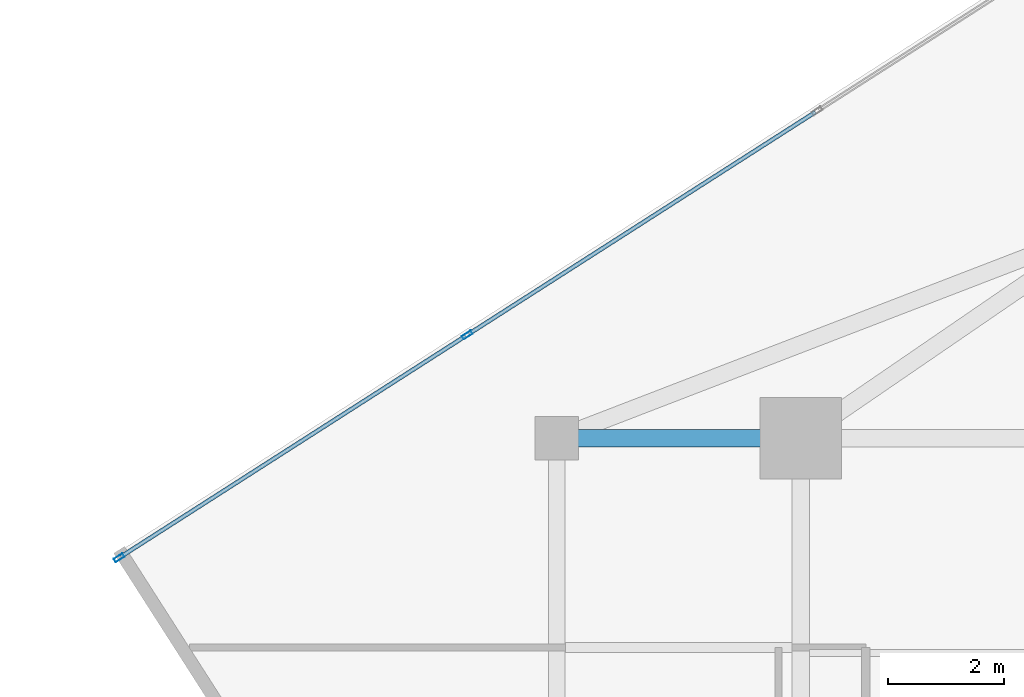
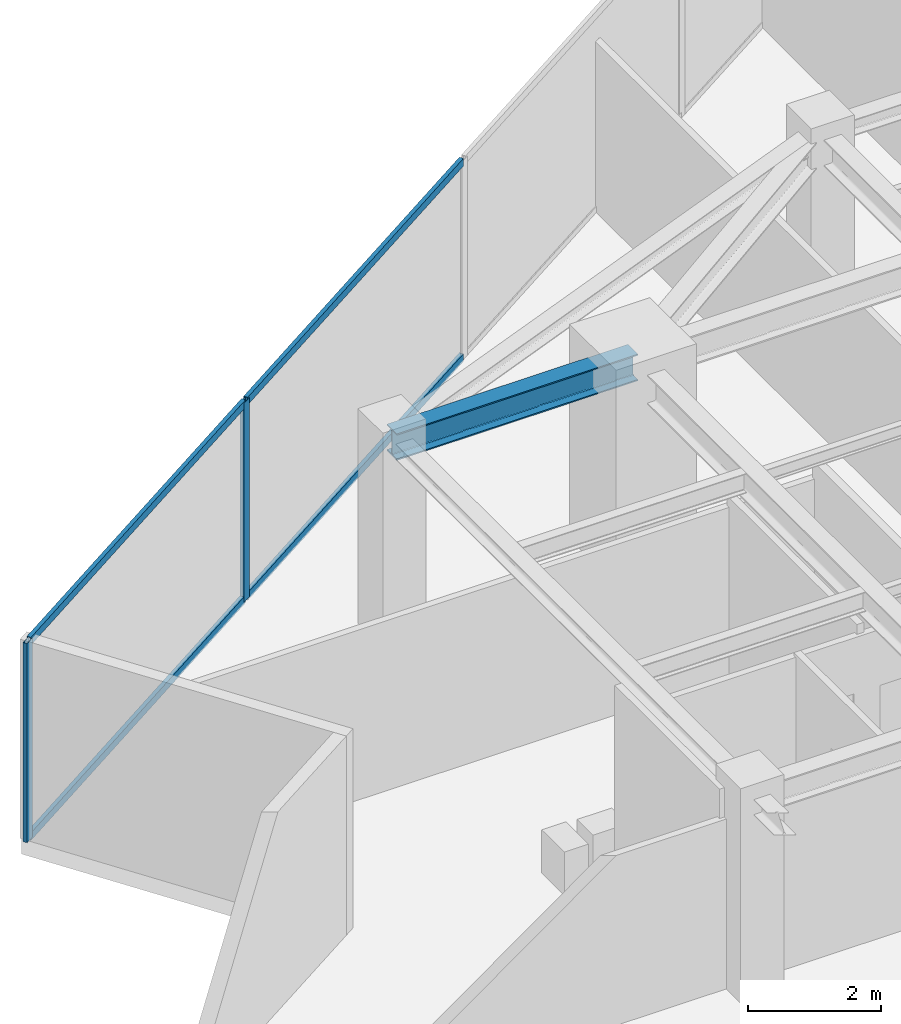
# One storey, part 11 of 20: 6 members, 1 beam, 1 element without a shape of its own.
"""IFC4 building model written with IfcOpenShell, lengths in metres."""

from ifc_helpers import new_model, si_unit, direction, frame, origin, origin_2d, place, context, subcontext, project, spatial, hollow_rectangle, i_section, extrude, source, transform, mapped, material, material_profile, profile_set, type_object, type_shapes, element, aggregate, save


model = new_model("IFC4")

# Units and contexts
model_context = context("Model", 3, precision=1e-05, world=origin(), true_north=direction((0.0, 1.0)))
body_context = subcontext(model_context, "Body", "Model", "MODEL_VIEW")
ifc_project = project(units=[si_unit("LENGTHUNIT", "METRE"), si_unit("AREAUNIT", "SQUARE_METRE"), si_unit("VOLUMEUNIT", "CUBIC_METRE"), si_unit("PLANEANGLEUNIT", "RADIAN"), si_unit("MASSUNIT", "GRAM", prefix="KILO")], contexts=[model_context])

# Site, building, storey
site_placement = place(None, origin())
site = spatial("IfcSite", under=ifc_project, at=site_placement, CompositionType="ELEMENT")
building_placement = place(site_placement, origin())
building = spatial("IfcBuilding", under=site, at=building_placement, Name="Krantzveldt Concourse Tower", CompositionType="ELEMENT")
storey_placement = place(building_placement, frame((0.0, 0.0, 287.14990234375)))
storey = spatial("IfcBuildingStorey", under=building, at=storey_placement, Name="L70", CompositionType="ELEMENT", Elevation=287.14990234375)

# Beam
ifc_material_1 = material(Name="Steel S355JR", Category="steel")
ifc_material_profile_1 = material_profile(ifc_material_1, i_section(OverallWidth=0.300048828125, OverallDepth=0.489990234375, WebThickness=0.011962890625, FlangeThickness=0.02294921875, FilletRadius=0.027099609375, at=origin_2d()), Name="Steel S355JR", Category="steel")
ifc_profile_set_1 = profile_set([ifc_material_profile_1], Name="Steel S355JR - HEA 500")
beam_type = type_object("IfcBeamType", Name="BM-B-HEA500", PredefinedType="BEAM", material=ifc_profile_set_1)
shared_shape_1 = source(origin(), body_context, "Body", "SweptSolid", [
    extrude(i_section(OverallWidth=0.300048828125, OverallDepth=0.489990234375, WebThickness=0.011962890625, FlangeThickness=0.02294921875, FilletRadius=0.027099609375, at=origin_2d()), origin(), (0.0, 0.0, 1.0), 4.199951171875),
])
type_shapes(beam_type, [shared_shape_1])
beam_placement = place(storey_placement, frame((21.0, 37.5, 3.425048828125), z_axis=(1.0, 0.0, 0.0), x_axis=(0.0, 1.0, 0.0)))
element("IfcBeam", 1, at=beam_placement, inside=storey, type_object=beam_type, Name="L70 Tower Girder BR-RL3", PredefinedType="BEAM", context=body_context, shape_type="MappedRepresentation", body=[
    mapped(shared_shape_1, transform((0.0, 0.0, 0.0), x_axis=(1.0, 0.0, 0.0), y_axis=(0.0, 1.0, 0.0), z_axis=(0.0, 0.0, 1.0), scale=1.0)),
])

# Curtain wall, members
ifc_material_2 = material(Name="Anodised aluminium 6063-T6", Category="aluminium")
curtain_wall_type = type_object("IfcCurtainWallType", Name="CW4", PredefinedType="USERDEFINED", material=ifc_material_2)
curtain_wall_placement = place(storey_placement, origin())
curtain_wall = element("IfcCurtainWall", 2, at=curtain_wall_placement, inside=storey, type_object=curtain_wall_type, Name="CW-L70-F01", ObjectType="UNITISED CURTAIN WALL", PredefinedType="USERDEFINED")
ifc_material_profile_2 = material_profile(ifc_material_2, hollow_rectangle(XDim=0.070068359375, YDim=0.179931640625, WallThickness=0.0048828125, at=origin_2d()), Name="Anodised aluminium 6063-T6", Category="aluminium")
ifc_profile_set_2 = profile_set([ifc_material_profile_2], Name="Anodised aluminium 6063-T6 - ALU-MULL 180x70x5")
member_type_1 = type_object("IfcMemberType", Name="CW-MUL-180", PredefinedType="MULLION", material=ifc_profile_set_2)
shared_shape_2 = source(origin(), body_context, "Body", "SweptSolid", [
    extrude(hollow_rectangle(XDim=0.070068359375, YDim=0.179931640625, WallThickness=0.0048828125, at=origin_2d()), origin(), (0.0, 0.0, 1.0), 3.670166015625),
])
type_shapes(member_type_1, [shared_shape_2])
member_1_placement = place(storey_placement, frame((19.45947265625, 39.27685546875, 0.0), z_axis=(0.0, 0.0, 1.0), x_axis=(0.53913830827, -0.842217243088, 0.0)))
member_1 = element("IfcMember", 3, at=member_1_placement, type_object=member_type_1, Name="CW-Z56 mullion 4", PredefinedType="MULLION", context=body_context, shape_type="MappedRepresentation", body=[
    mapped(shared_shape_2, transform((0.0, 0.0, 0.0), x_axis=(1.0, 0.0, 0.0), y_axis=(0.0, 1.0, 0.0), z_axis=(0.0, 0.0, 1.0), scale=1.0)),
])
member_2_placement = place(storey_placement, frame((13.46728515625, 35.44091796875, 0.0), z_axis=(0.0, 0.0, 1.0), x_axis=(0.53913830827, -0.842217243088, 0.0)))
member_2 = element("IfcMember", 4, at=member_2_placement, type_object=member_type_1, Name="CW-Z56 mullion 5", PredefinedType="MULLION", context=body_context, shape_type="MappedRepresentation", body=[
    mapped(shared_shape_2, transform((0.0, 0.0, 0.0), x_axis=(1.0, 0.0, 0.0), y_axis=(0.0, 1.0, 0.0), z_axis=(0.0, 0.0, 1.0), scale=1.0)),
])
ifc_material_profile_3 = material_profile(ifc_material_2, hollow_rectangle(XDim=0.070068359375, YDim=0.139892578125, WallThickness=0.0048828125, at=origin_2d()), Name="Anodised aluminium 6063-T6", Category="aluminium")
ifc_profile_set_3 = profile_set([ifc_material_profile_3], Name="Anodised aluminium 6063-T6 - ALU-TRAN 140x70x5")
member_type_2 = type_object("IfcMemberType", Name="CW-TRN-150", PredefinedType="USERDEFINED", material=ifc_profile_set_3)
shared_shape_3 = source(origin(), body_context, "Body", "SweptSolid", [
    extrude(hollow_rectangle(XDim=0.070068359375, YDim=0.139892578125, WallThickness=0.0048828125, at=origin_2d()), origin(), (0.0, 0.0, 1.0), 7.080078125),
])
member_3_placement = place(storey_placement, frame((25.451904296875, 43.11279296875, 0.03515625), z_axis=(-0.842214406915, -0.539142738786, 0.0), x_axis=(0.539142738786, -0.842214406915, 0.0)))
member_3 = element("IfcMember", 5, at=member_3_placement, type_object=member_type_2, Name="CW-Z56 transom 3.1", ObjectType="TRANSOM", PredefinedType="USERDEFINED", context=body_context, shape_type="MappedRepresentation", body=[
    mapped(shared_shape_3, transform((0.0, 0.0, 0.0), x_axis=(1.0, 0.0, 0.0), y_axis=(0.0, 1.0, 0.0), z_axis=(0.0, 0.0, 1.0), scale=1.0)),
])
member_4_placement = place(storey_placement, frame((25.451904296875, 43.11279296875, 3.635009765625), z_axis=(-0.842214406915, -0.539142738786, 0.0), x_axis=(0.539142738786, -0.842214406915, 0.0)))
member_4 = element("IfcMember", 6, at=member_4_placement, type_object=member_type_2, Name="CW-Z56 transom 3.2", ObjectType="TRANSOM", PredefinedType="USERDEFINED", context=body_context, shape_type="MappedRepresentation", body=[
    mapped(shared_shape_3, transform((0.0, 0.0, 0.0), x_axis=(1.0, 0.0, 0.0), y_axis=(0.0, 1.0, 0.0), z_axis=(0.0, 0.0, 1.0), scale=1.0)),
])
shared_shape_4 = source(origin(), body_context, "Body", "SweptSolid", [
    extrude(hollow_rectangle(XDim=0.070068359375, YDim=0.139892578125, WallThickness=0.0048828125, at=origin_2d()), origin(), (0.0, 0.0, 1.0), 7.045166015625),
])
type_shapes(member_type_2, [shared_shape_3, shared_shape_4])
member_5_placement = place(storey_placement, frame((19.43017578125, 39.258056640625, 0.03515625), z_axis=(-0.842217272537, -0.539138262267, 0.0), x_axis=(0.539138262267, -0.842217272537, 0.0)))
member_5 = element("IfcMember", 7, at=member_5_placement, type_object=member_type_2, Name="CW-Z56 transom 4.1", ObjectType="TRANSOM", PredefinedType="USERDEFINED", context=body_context, shape_type="MappedRepresentation", body=[
    mapped(shared_shape_4, transform((0.0, 0.0, 0.0), x_axis=(1.0, 0.0, 0.0), y_axis=(0.0, 1.0, 0.0), z_axis=(0.0, 0.0, 1.0), scale=1.0)),
])
member_6_placement = place(storey_placement, frame((19.43017578125, 39.258056640625, 3.635009765625), z_axis=(-0.842217272537, -0.539138262267, 0.0), x_axis=(0.539138262267, -0.842217272537, 0.0)))
member_6 = element("IfcMember", 8, at=member_6_placement, type_object=member_type_2, Name="CW-Z56 transom 4.2", ObjectType="TRANSOM", PredefinedType="USERDEFINED", context=body_context, shape_type="MappedRepresentation", body=[
    mapped(shared_shape_4, transform((0.0, 0.0, 0.0), x_axis=(1.0, 0.0, 0.0), y_axis=(0.0, 1.0, 0.0), z_axis=(0.0, 0.0, 1.0), scale=1.0)),
])
aggregate(curtain_wall, [member_1, member_2, member_3, member_4, member_5, member_6])

save(model, "model.ifc")
